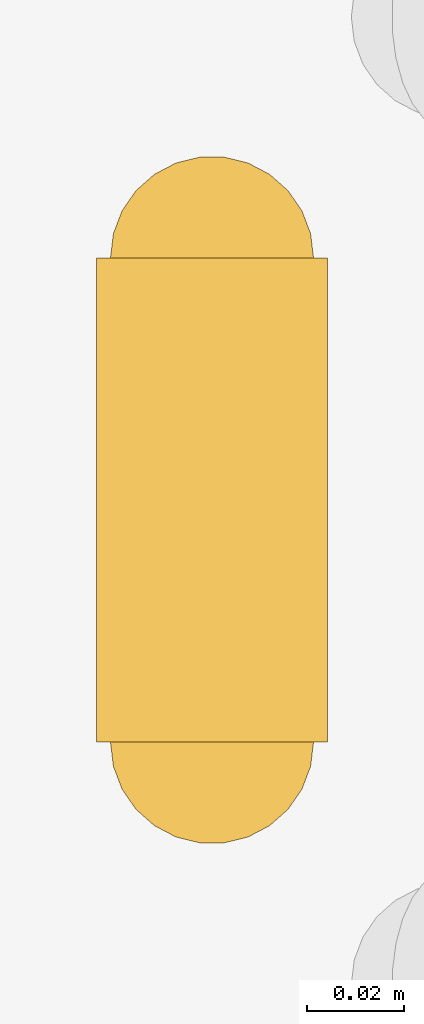
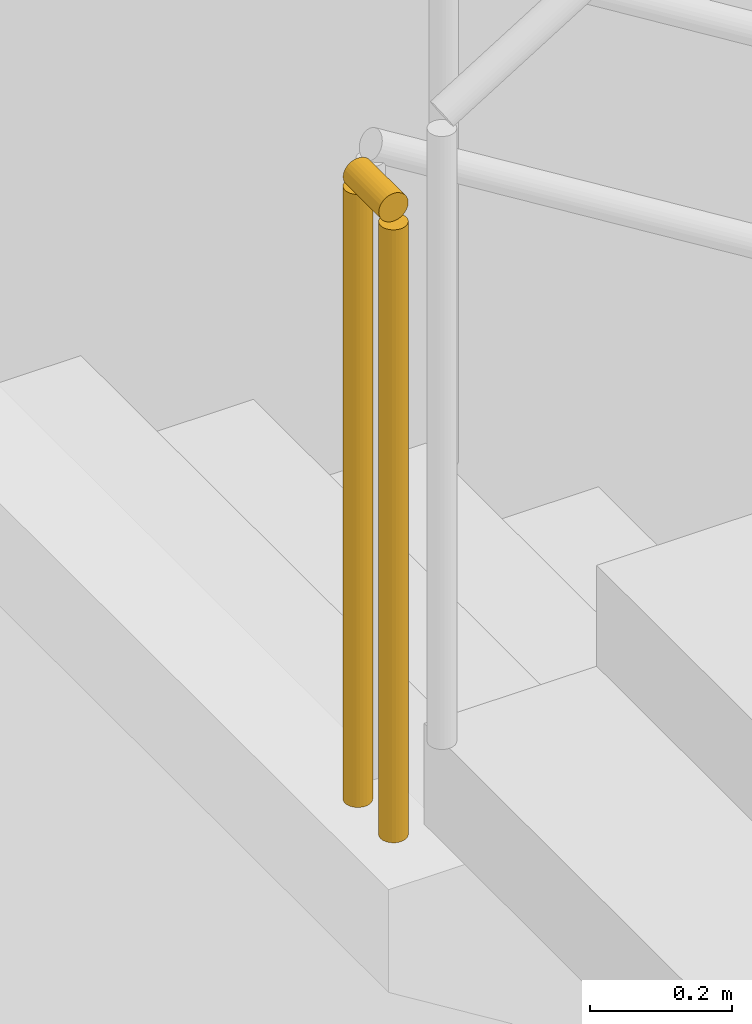
# One storey, part 19 of 25: 1 railing.
"""IFC4 building model written with IfcOpenShell, lengths in metres."""

from ifc_helpers import new_model, si_unit, direction, frame, origin, origin_2d, place, context, subcontext, project, spatial, circle, extrude, material, type_object, element, save


model = new_model("IFC4")

# Units and contexts
model_context = context("Model", 3, precision=1e-05, world=origin(), true_north=direction((0.0, 1.0)))
body_context = subcontext(model_context, "Body", "Model", "MODEL_VIEW")
ifc_project = project(units=[si_unit("LENGTHUNIT", "METRE"), si_unit("AREAUNIT", "SQUARE_METRE"), si_unit("VOLUMEUNIT", "CUBIC_METRE"), si_unit("PLANEANGLEUNIT", "RADIAN"), si_unit("MASSUNIT", "GRAM", prefix="KILO")], contexts=[model_context])

# Site, building, storey
site_placement = place(None, origin())
site = spatial("IfcSite", under=ifc_project, at=site_placement, CompositionType="ELEMENT")
building_placement = place(site_placement, origin())
building = spatial("IfcBuilding", under=site, at=building_placement, Name="Stone Belt Terrace Tower", CompositionType="ELEMENT")
storey_placement = place(building_placement, frame((0.0, 0.0, -13.5)))
storey = spatial("IfcBuildingStorey", under=building, at=storey_placement, Name="B3", CompositionType="ELEMENT", Elevation=-13.5)

# Railing
ifc_material = material(Name="Structural steel C345", Category="steel")
railing_type = type_object("IfcRailingType", Name="Car park guard 1100", PredefinedType="GUARDRAIL", material=ifc_material)
railing_placement = place(storey_placement, frame((27.340087890625, -48.64990234375, 2.25)))
element("IfcRailing", 1, at=railing_placement, inside=storey, type_object=railing_type, Name="B3 CS2 stair guard 2", PredefinedType="GUARDRAIL", context=body_context, shape_type="SweptSolid", body=[
    extrude(circle(Radius=0.02392578125, at=origin_2d()), frame((0.0, 0.0, 1.076171875), z_axis=(0.0, -1.0, 0.0), x_axis=(1.0, 0.0, 0.0)), (0.0, 0.0, 1.0), 0.10009765625),
    extrude(circle(Radius=0.02099609375, at=origin_2d()), origin(), (0.0, 0.0, 1.0), 1.052001953125),
    extrude(circle(Radius=0.02099609375, at=origin_2d()), frame((0.0, -0.10009765625, 0.0)), (0.0, 0.0, 1.0), 1.052001953125),
])

save(model, "model.ifc")
